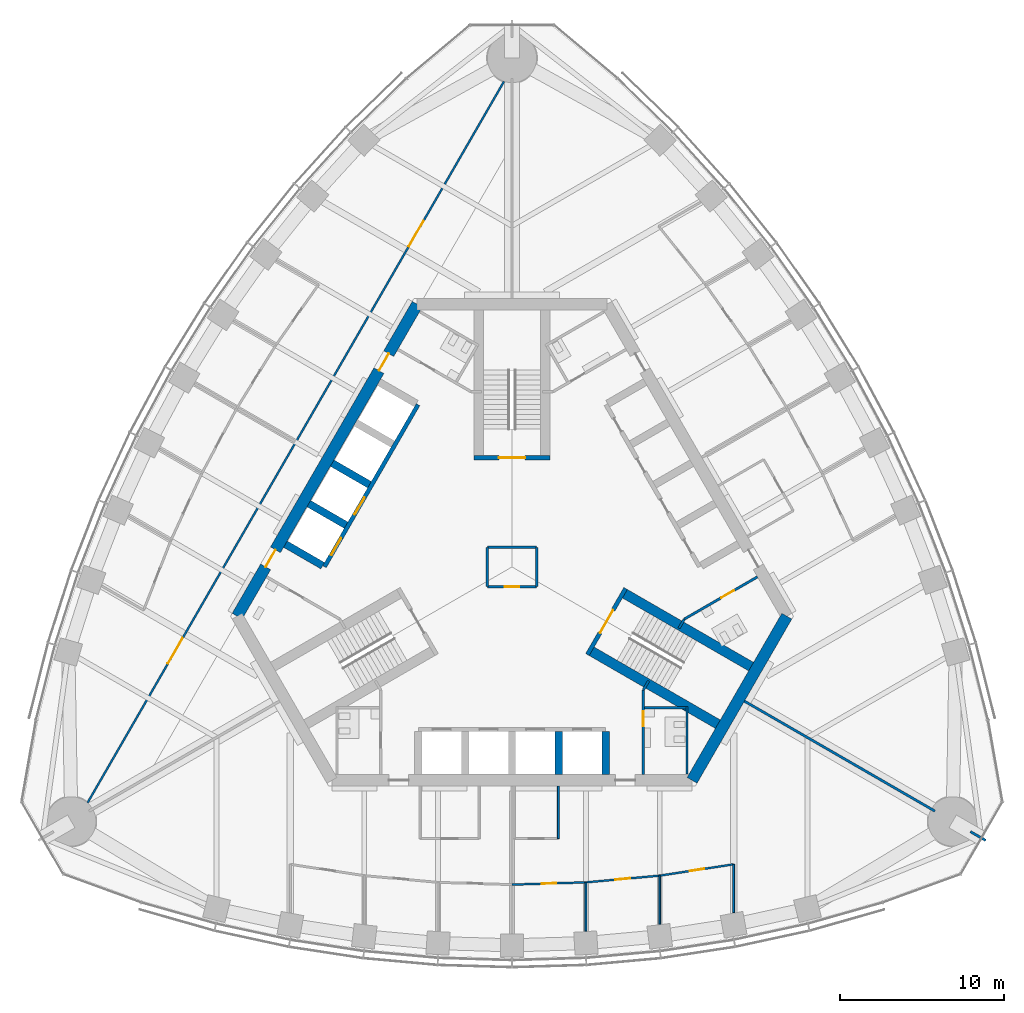
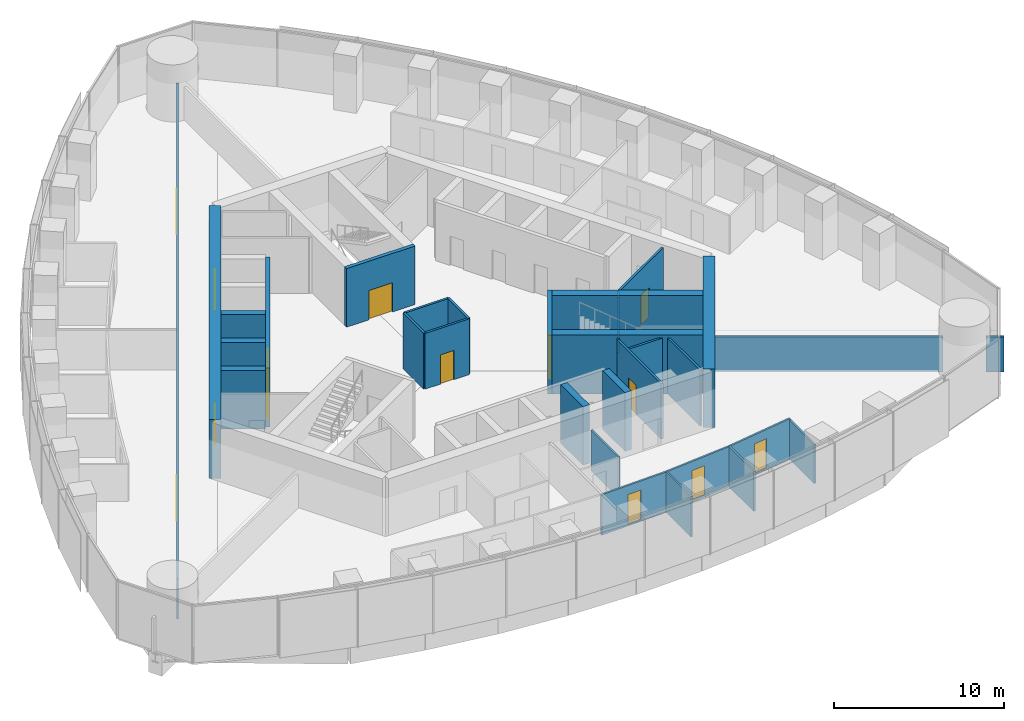
# One storey, part 9 of 16: 32 walls, 14 doors, 14 openings.
"""IFC4 building model written with IfcOpenShell, lengths in metres."""

from ifc_helpers import new_model, si_unit, direction, frame, frame_2d, origin, place, context, subcontext, project, spatial, rectangle, extrude, material, layer, layer_set, type_object, element, fill, save


model = new_model("IFC4")

# Units and contexts
model_context = context("Model", 3, precision=1e-05, world=origin(), true_north=direction((0.0, 1.0)))
body_context = subcontext(model_context, "Body", "Model", "MODEL_VIEW")
ifc_project = project(units=[si_unit("LENGTHUNIT", "METRE"), si_unit("AREAUNIT", "SQUARE_METRE"), si_unit("VOLUMEUNIT", "CUBIC_METRE"), si_unit("PLANEANGLEUNIT", "RADIAN"), si_unit("MASSUNIT", "GRAM", prefix="KILO")], contexts=[model_context])

# Site, building, storey
site_placement = place(None, origin())
site = spatial("IfcSite", under=ifc_project, at=site_placement, CompositionType="ELEMENT")
building_placement = place(site_placement, origin())
building = spatial("IfcBuilding", under=site, at=building_placement, Name="Trefoil Bronze Tower", CompositionType="ELEMENT")
storey_placement = place(building_placement, frame((0.0, 0.0, 284.699951171875)))
storey = spatial("IfcBuildingStorey", under=building, at=storey_placement, Name="L65", CompositionType="ELEMENT", Elevation=284.699951171875)

# Wall
ifc_material_1 = material(Name="Concrete B80", Category="concrete")
ifc_layer_1 = layer(ifc_material_1, 0.699951171875)
ifc_layer_set_1 = layer_set([ifc_layer_1], Name="Core wall 700")
wall_type_1 = type_object("IfcWallType", Name="Core wall 700", PredefinedType="SHEAR", material=ifc_layer_set_1)
wall_1_placement = place(storey_placement, frame((10.9697265625, -13.0, 0.0), z_axis=(0.0, 0.0, 1.0), x_axis=(0.499995765644, 0.866027848477, 0.0)))
element("IfcWall", 1, at=wall_1_placement, inside=storey, type_object=wall_type_1, Name="Core short wall 1 L65", PredefinedType="SHEAR", context=body_context, shape_type="SweptSolid", body=[
    extrude(rectangle(XDim=11.546875, YDim=0.699951171875, at=frame_2d((5.7734375, 0.0))), origin(), (0.0, 0.0, 1.0), 4.199951171875),
])

# Wall, openings, doors
wall_2_placement = place(storey_placement, frame((-5.7734375, 16.0, 0.0), z_axis=(0.0, 0.0, 1.0), x_axis=(-0.500002442456, -0.866023993627, 0.0)))
wall_2 = element("IfcWall", 2, at=wall_2_placement, inside=storey, type_object=wall_type_1, Name="Core long wall 3 L65", PredefinedType="SHEAR", context=body_context, shape_type="SweptSolid", body=[
    extrude(rectangle(XDim=21.939453125, YDim=0.699951171875, at=frame_2d((10.9697265625, 0.0))), origin(), (0.0, 0.0, 1.0), 4.199951171875),
])
opening_1_placement = place(wall_2_placement, frame((17.269775390625, 0.0, 0.0)))
opening_1 = element("IfcOpeningElement", 3, at=opening_1_placement, cuts=wall_2, Name="Opening D2", PredefinedType="OPENING", context=body_context, shape_type="SweptSolid", body=[
    extrude(rectangle(XDim=1.199951171875, YDim=2.10009765625, at=frame_2d((0.60009765625, 1.050048828125))), frame((0.0, 0.35986328125, 0.0), z_axis=(0.0, -1.0, 0.0), x_axis=(1.0, 0.0, 0.0)), (0.0, 0.0, 1.0), 0.719970703125),
])
opening_2_placement = place(wall_2_placement, frame((3.4697265625, 0.0, 0.0)))
opening_2 = element("IfcOpeningElement", 4, at=opening_2_placement, cuts=wall_2, Name="Opening D2", PredefinedType="OPENING", context=body_context, shape_type="SweptSolid", body=[
    extrude(rectangle(XDim=1.199951171875, YDim=2.10009765625, at=frame_2d((0.60009765625, 1.050048828125))), frame((0.0, 0.35986328125, 0.0), z_axis=(0.0, -1.0, 0.0), x_axis=(1.0, 0.0, 0.0)), (0.0, 0.0, 1.0), 0.719970703125),
])
ifc_material_2 = material(Name="Steel door", Category="steel")
door_type_1 = type_object("IfcDoorType", Name="Lobby door 1200", OperationType="SINGLE_SWING_RIGHT", PredefinedType="DOOR", material=ifc_material_2)
door_1_placement = place(opening_1_placement, origin())
door_1 = element("IfcDoor", 5, at=door_1_placement, inside=storey, type_object=door_type_1, Name="Lobby door F3+ L65", OperationType="SINGLE_SWING_RIGHT", OverallHeight=2.10009765625, OverallWidth=1.199951171875, PredefinedType="DOOR", context=body_context, shape_type="SweptSolid", body=[
    extrude(rectangle(XDim=1.199951171875, YDim=2.10009765625, at=frame_2d((0.60009765625, 1.050048828125))), frame((0.0, 0.02490234375, 0.0), z_axis=(0.0, -1.0, 0.0), x_axis=(1.0, 0.0, 0.0)), (0.0, 0.0, 1.0), 0.050048828125),
])
fill(opening_1, door_1)
door_2_placement = place(opening_2_placement, origin())
door_2 = element("IfcDoor", 6, at=door_2_placement, inside=storey, type_object=door_type_1, Name="Lobby door F3- L65", OperationType="SINGLE_SWING_LEFT", OverallHeight=2.10009765625, OverallWidth=1.199951171875, PredefinedType="DOOR", context=body_context, shape_type="SweptSolid", body=[
    extrude(rectangle(XDim=1.199951171875, YDim=2.10009765625, at=frame_2d((0.60009765625, 1.050048828125))), frame((0.0, 0.02490234375, 0.0), z_axis=(0.0, -1.0, 0.0), x_axis=(1.0, 0.0, 0.0)), (0.0, 0.0, 1.0), 0.050048828125),
])
fill(opening_2, door_2)

# Wall
ifc_material_3 = material(Name="Glazed partition", Category="glass")
ifc_layer_2 = layer(ifc_material_3, 0.1201171875)
ifc_layer_set_2 = layer_set([ifc_layer_2], Name="Glazed partition 120")
wall_type_2 = type_object("IfcWallType", Name="Glazed partition 120", PredefinedType="PARTITIONING", material=ifc_layer_set_2)
wall_3_placement = place(storey_placement, frame((2.824951171875, -13.35009765625, 0.0), z_axis=(0.0, 0.0, 1.0), x_axis=(0.0, -1.0, 0.0)))
element("IfcWall", 7, at=wall_3_placement, inside=storey, type_object=wall_type_2, Name="Partition F1 L65", PredefinedType="PARTITIONING", context=body_context, shape_type="SweptSolid", body=[
    extrude(rectangle(XDim=3.199951171875, YDim=0.1201171875, at=frame_2d((1.60009765625, 0.0))), origin(), (0.0, 0.0, 1.0), 2.900146484375),
])

# Wall, opening, door
wall_4_placement = place(storey_placement, frame((0.0, -19.3515625, 0.0), z_axis=(0.0, 0.0, 1.0), x_axis=(0.999542074227, 0.030259574513, 0.0)))
wall_4 = element("IfcWall", 8, at=wall_4_placement, inside=storey, type_object=wall_type_2, Name="Partition F1 L65", PredefinedType="PARTITIONING", context=body_context, shape_type="SweptSolid", body=[
    extrude(rectangle(XDim=4.501953125, YDim=0.1201171875, at=frame_2d((2.2509765625, 0.0))), origin(), (0.0, 0.0, 1.0), 2.900146484375),
])
opening_3_placement = place(wall_4_placement, frame((1.800048828125, 0.0, 0.14990234375)))
opening_3 = element("IfcOpeningElement", 9, at=opening_3_placement, cuts=wall_4, Name="Opening D8", PredefinedType="OPENING", context=body_context, shape_type="SweptSolid", body=[
    extrude(rectangle(XDim=0.89990234375, YDim=2.10009765625, at=frame_2d((0.449951171875, 1.050048828125))), frame((0.0, 0.070068359375, 0.0), z_axis=(0.0, -1.0, 0.0), x_axis=(1.0, 0.0, 0.0)), (0.0, 0.0, 1.0), 0.14013671875),
])
ifc_material_4 = material(Name="Timber door", Category="wood")
door_type_2 = type_object("IfcDoorType", Name="Office door 900", OperationType="SINGLE_SWING_LEFT", PredefinedType="DOOR", material=ifc_material_4)
door_3_placement = place(opening_3_placement, frame((0.89990234375, 0.0, 0.0), z_axis=(0.0, 0.0, 1.0), x_axis=(-1.0, 0.0, 0.0)))
door_3 = element("IfcDoor", 10, at=door_3_placement, inside=storey, type_object=door_type_2, Name="Office door F1 L65", OperationType="SINGLE_SWING_RIGHT", OverallHeight=2.10009765625, OverallWidth=0.89990234375, PredefinedType="DOOR", context=body_context, shape_type="SweptSolid", body=[
    extrude(rectangle(XDim=0.89990234375, YDim=2.10009765625, at=frame_2d((0.449951171875, 1.050048828125))), frame((0.0, 0.02490234375, 0.0), z_axis=(0.0, -1.0, 0.0), x_axis=(1.0, 0.0, 0.0)), (0.0, 0.0, 1.0), 0.050048828125),
])
fill(opening_3, door_3)

wall_5_placement = place(storey_placement, frame((4.5, -19.21533203125, 0.0), z_axis=(0.0, 0.0, 1.0), x_axis=(0.995871921504, 0.090769576179, 0.0)))
wall_5 = element("IfcWall", 11, at=wall_5_placement, inside=storey, type_object=wall_type_2, Name="Partition F1 L65", PredefinedType="PARTITIONING", context=body_context, shape_type="SweptSolid", body=[
    extrude(rectangle(XDim=4.5185546875, YDim=0.1201171875, at=frame_2d((2.25927734375, 0.0))), origin(), (0.0, 0.0, 1.0), 2.900146484375),
])
opening_4_placement = place(wall_5_placement, frame((1.800048828125, 0.0, 0.14990234375)))
opening_4 = element("IfcOpeningElement", 12, at=opening_4_placement, cuts=wall_5, Name="Opening D8", PredefinedType="OPENING", context=body_context, shape_type="SweptSolid", body=[
    extrude(rectangle(XDim=0.89990234375, YDim=2.10009765625, at=frame_2d((0.449951171875, 1.050048828125))), frame((0.0, 0.070068359375, 0.0), z_axis=(0.0, -1.0, 0.0), x_axis=(1.0, 0.0, 0.0)), (0.0, 0.0, 1.0), 0.14013671875),
])
door_4_placement = place(opening_4_placement, frame((0.89990234375, 0.0, 0.0), z_axis=(0.0, 0.0, 1.0), x_axis=(-1.0, 0.0, 0.0)))
door_4 = element("IfcDoor", 13, at=door_4_placement, inside=storey, type_object=door_type_2, Name="Office door F1 L65", OperationType="SINGLE_SWING_RIGHT", OverallHeight=2.10009765625, OverallWidth=0.89990234375, PredefinedType="DOOR", context=body_context, shape_type="SweptSolid", body=[
    extrude(rectangle(XDim=0.89990234375, YDim=2.10009765625, at=frame_2d((0.449951171875, 1.050048828125))), frame((0.0, 0.02490234375, 0.0), z_axis=(0.0, -1.0, 0.0), x_axis=(1.0, 0.0, 0.0)), (0.0, 0.0, 1.0), 0.050048828125),
])
fill(opening_4, door_4)

wall_6_placement = place(storey_placement, frame((9.0, -18.80517578125, 0.0), z_axis=(0.0, 0.0, 1.0), x_axis=(0.988481794406, 0.151339823341, 0.0)))
wall_6 = element("IfcWall", 14, at=wall_6_placement, inside=storey, type_object=wall_type_2, Name="Partition F1 L65", PredefinedType="PARTITIONING", context=body_context, shape_type="SweptSolid", body=[
    extrude(rectangle(XDim=4.552490234375, YDim=0.1201171875, at=frame_2d((2.2763671875, 0.0))), origin(), (0.0, 0.0, 1.0), 2.900146484375),
])
opening_5_placement = place(wall_6_placement, frame((1.85009765625, 0.0, 0.14990234375)))
opening_5 = element("IfcOpeningElement", 15, at=opening_5_placement, cuts=wall_6, Name="Opening D8", PredefinedType="OPENING", context=body_context, shape_type="SweptSolid", body=[
    extrude(rectangle(XDim=0.89990234375, YDim=2.10009765625, at=frame_2d((0.449951171875, 1.050048828125))), frame((0.0, 0.070068359375, 0.0), z_axis=(0.0, -1.0, 0.0), x_axis=(1.0, 0.0, 0.0)), (0.0, 0.0, 1.0), 0.14013671875),
])
door_5_placement = place(opening_5_placement, frame((0.89990234375, 0.0, 0.0), z_axis=(0.0, 0.0, 1.0), x_axis=(-1.0, 0.0, 0.0)))
door_5 = element("IfcDoor", 16, at=door_5_placement, inside=storey, type_object=door_type_2, Name="Office door F1 L65", OperationType="SINGLE_SWING_LEFT", OverallHeight=2.10009765625, OverallWidth=0.89990234375, PredefinedType="DOOR", context=body_context, shape_type="SweptSolid", body=[
    extrude(rectangle(XDim=0.89990234375, YDim=2.10009765625, at=frame_2d((0.449951171875, 1.050048828125))), frame((0.0, 0.02490234375, 0.0), z_axis=(0.0, -1.0, 0.0), x_axis=(1.0, 0.0, 0.0)), (0.0, 0.0, 1.0), 0.050048828125),
])
fill(opening_5, door_5)

# Walls
wall_7_placement = place(storey_placement, frame((13.5, -18.1162109375, 0.0), z_axis=(0.0, 0.0, 1.0), x_axis=(0.0, -1.0, 0.0)))
element("IfcWall", 17, at=wall_7_placement, inside=storey, type_object=wall_type_2, Name="Partition F1 L65", PredefinedType="PARTITIONING", context=body_context, shape_type="SweptSolid", body=[
    extrude(rectangle(XDim=2.9443359375, YDim=0.1201171875, at=frame_2d((1.47216796875, 0.0))), origin(), (0.0, 0.0, 1.0), 2.800048828125),
])
wall_8_placement = place(storey_placement, frame((4.5, -19.21533203125, 0.0), z_axis=(0.0, 0.0, 1.0), x_axis=(0.0, -1.0, 0.0)))
element("IfcWall", 18, at=wall_8_placement, inside=storey, type_object=wall_type_2, Name="Partition F1 L65", PredefinedType="PARTITIONING", context=body_context, shape_type="SweptSolid", body=[
    extrude(rectangle(XDim=2.96728515625, YDim=0.1201171875, at=frame_2d((1.483642578125, 0.0))), origin(), (0.0, 0.0, 1.0), 2.900146484375),
])
wall_9_placement = place(storey_placement, frame((9.0, -18.80517578125, 0.0), z_axis=(0.0, 0.0, 1.0), x_axis=(0.0, -1.0, 0.0)))
element("IfcWall", 19, at=wall_9_placement, inside=storey, type_object=wall_type_2, Name="Partition F1 L65", PredefinedType="PARTITIONING", context=body_context, shape_type="SweptSolid", body=[
    extrude(rectangle(XDim=2.958740234375, YDim=0.1201171875, at=frame_2d((1.4794921875, 0.0))), origin(), (0.0, 0.0, 1.0), 2.900146484375),
])

# Wall, openings, doors
wall_10_placement = place(storey_placement, frame((-0.490478515625, 29.570556640625, 0.0), z_axis=(0.0, 0.0, 1.0), x_axis=(-0.499999496503, -0.866025694478, 0.0)))
wall_10 = element("IfcWall", 20, at=wall_10_placement, inside=storey, type_object=wall_type_2, Name="Partition F3 L65", PredefinedType="PARTITIONING", context=body_context, shape_type="SweptSolid", body=[
    extrude(rectangle(XDim=50.7275390625, YDim=0.1201171875, at=frame_2d((25.36376953125, 0.0))), origin(), (0.0, 0.0, 1.0), 2.900146484375),
])
opening_6_placement = place(wall_10_placement, frame((9.800048828125, 0.0, 0.14990234375)))
opening_6 = element("IfcOpeningElement", 21, at=opening_6_placement, cuts=wall_10, Name="Opening D10", PredefinedType="OPENING", context=body_context, shape_type="SweptSolid", body=[
    extrude(rectangle(XDim=1.800048828125, YDim=2.10009765625, at=frame_2d((0.89990234375, 1.050048828125))), frame((0.0, 0.070068359375, 0.0), z_axis=(0.0, -1.0, 0.0), x_axis=(1.0, 0.0, 0.0)), (0.0, 0.0, 1.0), 0.14013671875),
])
opening_7_placement = place(wall_10_placement, frame((39.14990234375, 0.0, 0.14990234375)))
opening_7 = element("IfcOpeningElement", 22, at=opening_7_placement, cuts=wall_10, Name="Opening D10", PredefinedType="OPENING", context=body_context, shape_type="SweptSolid", body=[
    extrude(rectangle(XDim=1.800048828125, YDim=2.10009765625, at=frame_2d((0.89990234375, 1.050048828125))), frame((0.0, 0.070068359375, 0.0), z_axis=(0.0, -1.0, 0.0), x_axis=(1.0, 0.0, 0.0)), (0.0, 0.0, 1.0), 0.14013671875),
])
ifc_material_5 = material(Name="Timber door", Category="wood")
door_type_3 = type_object("IfcDoorType", Name="Double door 1800", OperationType="DOUBLE_DOOR_SINGLE_SWING", PredefinedType="DOOR", material=ifc_material_5)
door_6_placement = place(opening_6_placement, frame((1.800048828125, 0.0, 0.0), z_axis=(0.0, 0.0, 1.0), x_axis=(-1.0, 0.0, 0.0)))
door_6 = element("IfcDoor", 23, at=door_6_placement, inside=storey, type_object=door_type_3, Name="Corridor door F3 L65", OperationType="DOUBLE_DOOR_SINGLE_SWING", OverallHeight=2.10009765625, OverallWidth=1.800048828125, PredefinedType="DOOR", context=body_context, shape_type="SweptSolid", body=[
    extrude(rectangle(XDim=1.800048828125, YDim=2.10009765625, at=frame_2d((0.89990234375, 1.050048828125))), frame((0.0, 0.02490234375, 0.0), z_axis=(0.0, -1.0, 0.0), x_axis=(1.0, 0.0, 0.0)), (0.0, 0.0, 1.0), 0.050048828125),
])
fill(opening_6, door_6)
door_7_placement = place(opening_7_placement, frame((1.800048828125, 0.0, 0.0), z_axis=(0.0, 0.0, 1.0), x_axis=(-1.0, 0.0, 0.0)))
door_7 = element("IfcDoor", 24, at=door_7_placement, inside=storey, type_object=door_type_3, Name="Corridor door F3 L65", OperationType="DOUBLE_DOOR_SINGLE_SWING", OverallHeight=2.10009765625, OverallWidth=1.800048828125, PredefinedType="DOOR", context=body_context, shape_type="SweptSolid", body=[
    extrude(rectangle(XDim=1.800048828125, YDim=2.10009765625, at=frame_2d((0.89990234375, 1.050048828125))), frame((0.0, 0.02490234375, 0.0), z_axis=(0.0, -1.0, 0.0), x_axis=(1.0, 0.0, 0.0)), (0.0, 0.0, 1.0), 0.050048828125),
])
fill(opening_7, door_7)

# Walls
ifc_material_6 = material(Name="Concrete B80", Category="concrete")
ifc_layer_3 = layer(ifc_material_6, 0.449951171875)
ifc_layer_set_3 = layer_set([ifc_layer_3], Name="Outrigger shaft wall 450")
wall_type_3 = type_object("IfcWallType", Name="Outrigger shaft wall 450", PredefinedType="SHEAR", material=ifc_layer_set_3)
for number, where, z_axis, x_axis, name in (
    (25, (2.85009765625, -10.02490234375, 0.0), (0.0, 0.0, 1.0), (0.0, -1.0, 0.0), "Lift shaft side wall A3 L65"),
    (26, (5.699951171875, -10.02490234375, 0.0), (0.0, 0.0, 1.0), (0.0, -1.0, 0.0), "Lift shaft side wall A4 L65"),
    (27, (-8.681884765625, 5.012451171875, 0.0), (0.0, 0.0, 1.0), (-0.866036909293, 0.499980071345, 0.0), "Lift shaft side wall C2 L65"),
    (28, (-10.10693359375, 2.54443359375, 0.0), (0.0, 0.0, 1.0), (-0.866013657776, 0.500020344131, 0.0), "Lift shaft side wall C3 L65"),
    (29, (-11.531982421875, 0.076171875, 0.0), (0.0, 0.0, 1.0), (-0.866013657776, 0.500020344131, 0.0), "Lift shaft side wall C4 L65"),
):
    element("IfcWall", number, at=place(storey_placement, frame(where, z_axis=z_axis, x_axis=x_axis)), inside=storey, type_object=wall_type_3, Name=name, PredefinedType="SHEAR", context=body_context, shape_type="SweptSolid", body=[
        extrude(rectangle(XDim=2.625, YDim=0.449951171875, at=frame_2d((1.3125, 0.0))), origin(), (0.0, 0.0, 1.0), 4.199951171875),
    ])

# Wall, opening, door
ifc_material_7 = material(Name="Gypsum board on steel studs", Category="steel")
ifc_layer_4 = layer(ifc_material_7, 0.14990234375)
ifc_layer_set_4 = layer_set([ifc_layer_4], Name="Partition 150")
wall_type_4 = type_object("IfcWallType", Name="Partition 150", PredefinedType="PARTITIONING", material=ifc_layer_set_4)
wall_11_placement = place(storey_placement, frame((8.0, -7.5, 0.0), z_axis=(0.0, 0.0, 1.0), x_axis=(0.0, -1.0, 0.0)))
wall_11 = element("IfcWall", 30, at=wall_11_placement, inside=storey, type_object=wall_type_4, Name="Passage wall F1+ L65", PredefinedType="PARTITIONING", context=body_context, shape_type="SweptSolid", body=[
    extrude(rectangle(XDim=5.14990234375, YDim=0.14990234375, at=frame_2d((2.574951171875, 0.0))), origin(), (0.0, 0.0, 1.0), 4.0),
])
opening_8_placement = place(wall_11_placement, frame((1.300048828125, 0.0, 0.0)))
opening_8 = element("IfcOpeningElement", 31, at=opening_8_placement, cuts=wall_11, Name="Opening D3", PredefinedType="OPENING", context=body_context, shape_type="SweptSolid", body=[
    extrude(rectangle(XDim=0.89990234375, YDim=2.10009765625, at=frame_2d((0.449951171875, 1.050048828125))), frame((0.0, 0.0849609375, 0.0), z_axis=(0.0, -1.0, 0.0), x_axis=(1.0, 0.0, 0.0)), (0.0, 0.0, 1.0), 0.169921875),
])
ifc_material_8 = material(Name="Timber door", Category="wood")
door_type_4 = type_object("IfcDoorType", Name="WC door 900", OperationType="SINGLE_SWING_LEFT", PredefinedType="DOOR", material=ifc_material_8)
door_8_placement = place(opening_8_placement, origin())
door_8 = element("IfcDoor", 32, at=door_8_placement, inside=storey, type_object=door_type_4, Name="WC (men) door L65", OperationType="SINGLE_SWING_LEFT", OverallHeight=2.10009765625, OverallWidth=0.89990234375, PredefinedType="DOOR", context=body_context, shape_type="SweptSolid", body=[
    extrude(rectangle(XDim=0.89990234375, YDim=2.10009765625, at=frame_2d((0.449951171875, 1.050048828125))), frame((0.0, 0.02490234375, 0.0), z_axis=(0.0, -1.0, 0.0), x_axis=(1.0, 0.0, 0.0)), (0.0, 0.0, 1.0), 0.050048828125),
])
fill(opening_8, door_8)

wall_12_placement = place(storey_placement, frame((10.4951171875, -3.17822265625, 0.0), z_axis=(0.0, 0.0, 1.0), x_axis=(0.866037967349, 0.499978238636, 0.0)))
wall_12 = element("IfcWall", 33, at=wall_12_placement, inside=storey, type_object=wall_type_4, Name="Passage wall F2- L65", PredefinedType="PARTITIONING", context=body_context, shape_type="SweptSolid", body=[
    extrude(rectangle(XDim=5.150146484375, YDim=0.14990234375, at=frame_2d((2.5751953125, 0.0))), origin(), (0.0, 0.0, 1.0), 4.0),
])
opening_9_placement = place(wall_12_placement, frame((2.60009765625, 0.0, 0.0)))
opening_9 = element("IfcOpeningElement", 34, at=opening_9_placement, cuts=wall_12, Name="Opening D3", PredefinedType="OPENING", context=body_context, shape_type="SweptSolid", body=[
    extrude(rectangle(XDim=0.89990234375, YDim=2.10009765625, at=frame_2d((0.449951171875, 1.050048828125))), frame((0.0, 0.0849609375, 0.0), z_axis=(0.0, -1.0, 0.0), x_axis=(1.0, 0.0, 0.0)), (0.0, 0.0, 1.0), 0.169921875),
])
door_9_placement = place(opening_9_placement, frame((0.89990234375, 0.0, 0.0), z_axis=(0.0, 0.0, 1.0), x_axis=(-1.0, 0.0, 0.0)))
door_9 = element("IfcDoor", 35, at=door_9_placement, inside=storey, type_object=door_type_4, Name="WC (women) door L65", OperationType="SINGLE_SWING_LEFT", OverallHeight=2.10009765625, OverallWidth=0.89990234375, PredefinedType="DOOR", context=body_context, shape_type="SweptSolid", body=[
    extrude(rectangle(XDim=0.89990234375, YDim=2.10009765625, at=frame_2d((0.449951171875, 1.050048828125))), frame((0.0, 0.02490234375, 0.0), z_axis=(0.0, -1.0, 0.0), x_axis=(1.0, 0.0, 0.0)), (0.0, 0.0, 1.0), 0.050048828125),
])
fill(opening_9, door_9)

# Walls
for number, where, z_axis, x_axis, name in (
    (36, (8.0, -7.5, 0.0), (0.0, 0.0, 1.0), (0.499842556608, 0.866116284689, 0.0), "WC wall ST1-1 L65"),
    (37, (10.4951171875, -3.17822265625, 0.0), (0.0, 0.0, 1.0), (-0.499842556608, -0.866116284689, 0.0), "WC wall ST1+1 L65"),
):
    element("IfcWall", number, at=place(storey_placement, frame(where, z_axis=z_axis, x_axis=x_axis)), inside=storey, type_object=wall_type_4, Name=name, PredefinedType="PARTITIONING", context=body_context, shape_type="SweptSolid", body=[
        extrude(rectangle(XDim=0.645263671875, YDim=0.14990234375, at=frame_2d((0.32275390625, 0.0))), origin(), (0.0, 0.0, 1.0), 4.0),
    ])
wall_13_placement = place(storey_placement, frame((10.659912109375, -8.5, 0.0), z_axis=(0.0, 0.0, 1.0), x_axis=(0.0, -1.0, 0.0)))
element("IfcWall", 38, at=wall_13_placement, inside=storey, type_object=wall_type_4, Name="WC partition WC (men) L65", PredefinedType="PARTITIONING", context=body_context, shape_type="SweptSolid", body=[
    extrude(rectangle(XDim=4.10009765625, YDim=0.14990234375, at=frame_2d((2.050048828125, 0.0))), origin(), (0.0, 0.0, 1.0), 4.0),
])
wall_14_placement = place(storey_placement, frame((8.074951171875, -8.574951171875, 0.0), z_axis=(0.0, 0.0, 1.0), x_axis=(1.0, 0.0, 0.0)))
element("IfcWall", 39, at=wall_14_placement, inside=storey, type_object=wall_type_4, Name="WC partition WC (men) L65", PredefinedType="PARTITIONING", context=body_context, shape_type="SweptSolid", body=[
    extrude(rectangle(XDim=2.510009765625, YDim=0.14990234375, at=frame_2d((1.2548828125, 0.0))), origin(), (0.0, 0.0, 1.0), 4.0),
])
ifc_material_9 = material(Name="Gypsum board on steel studs", Category="steel")
ifc_layer_5 = layer(ifc_material_9, 0.14990234375)
ifc_layer_set_5 = layer_set([ifc_layer_5], Name="Party wall 150")
wall_type_5 = type_object("IfcWallType", Name="Party wall 150", PredefinedType="PARTITIONING", material=ifc_layer_set_5)
wall_15_placement = place(storey_placement, frame((14.159423828125, -8.175048828125, 0.0), z_axis=(0.0, 0.0, 1.0), x_axis=(0.866026905467, -0.499997399001, 0.0)))
element("IfcWall", 40, at=wall_15_placement, inside=storey, type_object=wall_type_5, Name="Party wall K1 L65", PredefinedType="PARTITIONING", context=body_context, shape_type="SweptSolid", body=[
    extrude(rectangle(XDim=13.39990234375, YDim=0.14990234375, at=frame_2d((6.699951171875, 0.0))), origin(), (0.0, 0.0, 1.0), 2.5),
])
wall_16_placement = place(storey_placement, frame((27.92919921875, -16.125, 0.0), z_axis=(0.0, 0.0, 1.0), x_axis=(0.866086810508, -0.499893625349, 0.0)))
element("IfcWall", 41, at=wall_16_placement, inside=storey, type_object=wall_type_5, Name="Party wall K1 L65", PredefinedType="PARTITIONING", context=body_context, shape_type="SweptSolid", body=[
    extrude(rectangle(XDim=1.070068359375, YDim=0.14990234375, at=frame_2d((0.53515625, 0.0))), origin(), (0.0, 0.0, 1.0), 2.5),
])

# Wall, opening, door
ifc_material_10 = material(Name="Gypsum board on steel studs", Category="steel")
ifc_layer_6 = layer(ifc_material_10, 0.14990234375)
ifc_layer_set_6 = layer_set([ifc_layer_6], Name="Riser wall 150")
wall_type_6 = type_object("IfcWallType", Name="Riser wall 150", PredefinedType="PARTITIONING", material=ifc_layer_set_6)
wall_17_placement = place(storey_placement, frame((-1.5, -1.199951171875, 0.0), z_axis=(0.0, 0.0, 1.0), x_axis=(1.0, 0.0, 0.0)))
wall_17 = element("IfcWall", 42, at=wall_17_placement, inside=storey, type_object=wall_type_6, Name="Riser wall L65", PredefinedType="PARTITIONING", context=body_context, shape_type="SweptSolid", body=[
    extrude(rectangle(XDim=3.0, YDim=0.14990234375, at=frame_2d((1.5, 0.0))), origin(), (0.0, 0.0, 1.0), 4.0),
])
opening_10_placement = place(wall_17_placement, frame((1.050048828125, 0.0, 0.0)))
opening_10 = element("IfcOpeningElement", 43, at=opening_10_placement, cuts=wall_17, Name="Opening D4", PredefinedType="OPENING", context=body_context, shape_type="SweptSolid", body=[
    extrude(rectangle(XDim=0.89990234375, YDim=2.10009765625, at=frame_2d((0.449951171875, 1.050048828125))), frame((0.0, 0.0849609375, 0.0), z_axis=(0.0, -1.0, 0.0), x_axis=(1.0, 0.0, 0.0)), (0.0, 0.0, 1.0), 0.169921875),
])
ifc_material_11 = material(Name="Steel door", Category="steel")
door_type_5 = type_object("IfcDoorType", Name="Riser door 900", OperationType="SINGLE_SWING_LEFT", PredefinedType="DOOR", material=ifc_material_11)
door_10_placement = place(opening_10_placement, frame((0.89990234375, 0.0, 0.0), z_axis=(0.0, 0.0, 1.0), x_axis=(-1.0, 0.0, 0.0)))
door_10 = element("IfcDoor", 44, at=door_10_placement, inside=storey, type_object=door_type_5, Name="Riser door L65", OperationType="SINGLE_SWING_LEFT", OverallHeight=2.10009765625, OverallWidth=0.89990234375, PredefinedType="DOOR", context=body_context, shape_type="SweptSolid", body=[
    extrude(rectangle(XDim=0.89990234375, YDim=2.10009765625, at=frame_2d((0.449951171875, 1.050048828125))), frame((0.0, 0.02490234375, 0.0), z_axis=(0.0, -1.0, 0.0), x_axis=(1.0, 0.0, 0.0)), (0.0, 0.0, 1.0), 0.050048828125),
])
fill(opening_10, door_10)

# Walls
wall_18_placement = place(storey_placement, frame((1.5, -1.199951171875, 0.0), z_axis=(0.0, 0.0, 1.0), x_axis=(0.0, 1.0, 0.0)))
element("IfcWall", 45, at=wall_18_placement, inside=storey, type_object=wall_type_6, Name="Riser wall L65", PredefinedType="PARTITIONING", context=body_context, shape_type="SweptSolid", body=[
    extrude(rectangle(XDim=2.39990234375, YDim=0.14990234375, at=frame_2d((1.199951171875, 0.0))), origin(), (0.0, 0.0, 1.0), 4.0),
])
wall_19_placement = place(storey_placement, frame((1.5, 1.199951171875, 0.0), z_axis=(0.0, 0.0, 1.0), x_axis=(-1.0, 0.0, 0.0)))
element("IfcWall", 46, at=wall_19_placement, inside=storey, type_object=wall_type_6, Name="Riser wall L65", PredefinedType="PARTITIONING", context=body_context, shape_type="SweptSolid", body=[
    extrude(rectangle(XDim=3.0, YDim=0.14990234375, at=frame_2d((1.5, 0.0))), origin(), (0.0, 0.0, 1.0), 4.0),
])
wall_20_placement = place(storey_placement, frame((-1.5, 1.199951171875, 0.0), z_axis=(0.0, 0.0, 1.0), x_axis=(0.0, -1.0, 0.0)))
element("IfcWall", 47, at=wall_20_placement, inside=storey, type_object=wall_type_6, Name="Riser wall L65", PredefinedType="PARTITIONING", context=body_context, shape_type="SweptSolid", body=[
    extrude(rectangle(XDim=2.39990234375, YDim=0.14990234375, at=frame_2d((1.199951171875, 0.0))), origin(), (0.0, 0.0, 1.0), 4.0),
])

# Wall, openings, doors
ifc_material_12 = material(Name="Concrete B80", Category="concrete")
ifc_layer_7 = layer(ifc_material_12, 0.25)
ifc_layer_set_7 = layer_set([ifc_layer_7], Name="Shaft wall 250")
wall_type_7 = type_object("IfcWallType", Name="Shaft wall 250", PredefinedType="SHEAR", material=ifc_layer_set_7)
wall_21_placement = place(storey_placement, frame((-5.7236328125, 9.88623046875, 0.0), z_axis=(0.0, 0.0, 1.0), x_axis=(-0.500001763848, -0.866024385424, 0.0)))
wall_21 = element("IfcWall", 48, at=wall_21_placement, inside=storey, type_object=wall_type_7, Name="Lift shaft front wall C L65", PredefinedType="SHEAR", context=body_context, shape_type="SweptSolid", body=[
    extrude(rectangle(XDim=11.39990234375, YDim=0.25, at=frame_2d((5.699951171875, 0.0))), origin(), (0.0, 0.0, 1.0), 4.199951171875),
])
opening_11_placement = place(wall_21_placement, frame((6.52490234375, 0.0, 0.0)))
opening_11 = element("IfcOpeningElement", 49, at=opening_11_placement, cuts=wall_21, Name="Opening LD-FL1", PredefinedType="OPENING", context=body_context, shape_type="SweptSolid", body=[
    extrude(rectangle(XDim=1.199951171875, YDim=2.199951171875, at=frame_2d((0.60009765625, 1.10009765625))), frame((0.0, 0.135009765625, 0.0), z_axis=(0.0, -1.0, 0.0), x_axis=(1.0, 0.0, 0.0)), (0.0, 0.0, 1.0), 0.27001953125),
])
opening_12_placement = place(wall_21_placement, frame((9.375, 0.0, 0.0)))
opening_12 = element("IfcOpeningElement", 50, at=opening_12_placement, cuts=wall_21, Name="Opening LD-FL2", PredefinedType="OPENING", context=body_context, shape_type="SweptSolid", body=[
    extrude(rectangle(XDim=1.199951171875, YDim=2.199951171875, at=frame_2d((0.60009765625, 1.10009765625))), frame((0.0, 0.135009765625, 0.0), z_axis=(0.0, -1.0, 0.0), x_axis=(1.0, 0.0, 0.0)), (0.0, 0.0, 1.0), 0.27001953125),
])
ifc_material_13 = material(Name="Steel door", Category="steel")
door_type_6 = type_object("IfcDoorType", Name="Lift landing door 1200", OperationType="DOUBLE_DOOR_SLIDING", PredefinedType="DOOR", material=ifc_material_13)
door_11_placement = place(opening_11_placement, origin())
door_11 = element("IfcDoor", 51, at=door_11_placement, inside=storey, type_object=door_type_6, Name="Lift FL1 landing door L65", OperationType="DOUBLE_DOOR_SLIDING", OverallHeight=2.199951171875, OverallWidth=1.199951171875, PredefinedType="DOOR", context=body_context, shape_type="SweptSolid", body=[
    extrude(rectangle(XDim=1.199951171875, YDim=2.199951171875, at=frame_2d((0.60009765625, 1.10009765625))), frame((0.0, 0.02490234375, 0.0), z_axis=(0.0, -1.0, 0.0), x_axis=(1.0, 0.0, 0.0)), (0.0, 0.0, 1.0), 0.050048828125),
])
fill(opening_11, door_11)
door_12_placement = place(opening_12_placement, origin())
door_12 = element("IfcDoor", 52, at=door_12_placement, inside=storey, type_object=door_type_6, Name="Lift FL2 landing door L65", OperationType="DOUBLE_DOOR_SLIDING", OverallHeight=2.199951171875, OverallWidth=1.199951171875, PredefinedType="DOOR", context=body_context, shape_type="SweptSolid", body=[
    extrude(rectangle(XDim=1.199951171875, YDim=2.199951171875, at=frame_2d((0.60009765625, 1.10009765625))), frame((0.0, 0.02490234375, 0.0), z_axis=(0.0, -1.0, 0.0), x_axis=(1.0, 0.0, 0.0)), (0.0, 0.0, 1.0), 0.050048828125),
])
fill(opening_12, door_12)

# Wall, opening, door
wall_22_placement = place(storey_placement, frame((4.5966796875, -5.338623046875, 0.0), z_axis=(0.0, 0.0, 1.0), x_axis=(0.499984536904, 0.866034331223, 0.0)))
wall_22 = element("IfcWall", 53, at=wall_22_placement, inside=storey, type_object=wall_type_7, Name="Stair end wall ST1 L65", PredefinedType="SHEAR", context=body_context, shape_type="SweptSolid", body=[
    extrude(rectangle(XDim=4.650146484375, YDim=0.25, at=frame_2d((2.3251953125, 0.0))), origin(), (0.0, 0.0, 1.0), 4.199951171875),
])
opening_13_placement = place(wall_22_placement, frame((1.52490234375, 0.0, 0.0)))
opening_13 = element("IfcOpeningElement", 54, at=opening_13_placement, cuts=wall_22, Name="Opening D1", PredefinedType="OPENING", context=body_context, shape_type="SweptSolid", body=[
    extrude(rectangle(XDim=1.60009765625, YDim=2.10009765625, at=frame_2d((0.800048828125, 1.050048828125))), frame((0.0, 0.135009765625, 0.0), z_axis=(0.0, -1.0, 0.0), x_axis=(1.0, 0.0, 0.0)), (0.0, 0.0, 1.0), 0.27001953125),
])
ifc_material_14 = material(Name="Steel door", Category="steel")
door_type_7 = type_object("IfcDoorType", Name="Stair door 1600", OperationType="DOUBLE_DOOR_SINGLE_SWING", PredefinedType="DOOR", material=ifc_material_14)
door_13_placement = place(opening_13_placement, frame((1.60009765625, 0.0, 0.0), z_axis=(0.0, 0.0, 1.0), x_axis=(-1.0, 0.0, 0.0)))
door_13 = element("IfcDoor", 55, at=door_13_placement, inside=storey, type_object=door_type_7, Name="Stair door ST1 L65", OperationType="DOUBLE_DOOR_SINGLE_SWING", OverallHeight=2.10009765625, OverallWidth=1.60009765625, PredefinedType="DOOR", context=body_context, shape_type="SweptSolid", body=[
    extrude(rectangle(XDim=1.60009765625, YDim=2.10009765625, at=frame_2d((0.800048828125, 1.050048828125))), frame((0.0, 0.02490234375, 0.0), z_axis=(0.0, -1.0, 0.0), x_axis=(1.0, 0.0, 0.0)), (0.0, 0.0, 1.0), 0.050048828125),
])
fill(opening_13, door_13)

wall_23_placement = place(storey_placement, frame((2.324951171875, 6.64990234375, 0.0), z_axis=(0.0, 0.0, 1.0), x_axis=(-1.0, 0.0, 0.0)))
wall_23 = element("IfcWall", 56, at=wall_23_placement, inside=storey, type_object=wall_type_7, Name="Stair end wall ST2 L65", PredefinedType="SHEAR", context=body_context, shape_type="SweptSolid", body=[
    extrude(rectangle(XDim=4.64990234375, YDim=0.25, at=frame_2d((2.324951171875, 0.0))), origin(), (0.0, 0.0, 1.0), 4.199951171875),
])
opening_14_placement = place(wall_23_placement, frame((1.52490234375, 0.0, 0.0)))
opening_14 = element("IfcOpeningElement", 57, at=opening_14_placement, cuts=wall_23, Name="Opening D1", PredefinedType="OPENING", context=body_context, shape_type="SweptSolid", body=[
    extrude(rectangle(XDim=1.60009765625, YDim=2.10009765625, at=frame_2d((0.800048828125, 1.050048828125))), frame((0.0, 0.135009765625, 0.0), z_axis=(0.0, -1.0, 0.0), x_axis=(1.0, 0.0, 0.0)), (0.0, 0.0, 1.0), 0.27001953125),
])
door_14_placement = place(opening_14_placement, frame((1.60009765625, 0.0, 0.0), z_axis=(0.0, 0.0, 1.0), x_axis=(-1.0, 0.0, 0.0)))
door_14 = element("IfcDoor", 58, at=door_14_placement, inside=storey, type_object=door_type_7, Name="Stair door ST2 L65", OperationType="DOUBLE_DOOR_SINGLE_SWING", OverallHeight=2.10009765625, OverallWidth=1.60009765625, PredefinedType="DOOR", context=body_context, shape_type="SweptSolid", body=[
    extrude(rectangle(XDim=1.60009765625, YDim=2.10009765625, at=frame_2d((0.800048828125, 1.050048828125))), frame((0.0, 0.02490234375, 0.0), z_axis=(0.0, -1.0, 0.0), x_axis=(1.0, 0.0, 0.0)), (0.0, 0.0, 1.0), 0.050048828125),
])
fill(opening_14, door_14)

# Walls
ifc_material_15 = material(Name="Concrete B80", Category="concrete")
ifc_layer_8 = layer(ifc_material_15, 0.60009765625)
ifc_layer_set_8 = layer_set([ifc_layer_8], Name="Stair wall 600")
wall_type_8 = type_object("IfcWallType", Name="Stair wall 600", PredefinedType="SHEAR", material=ifc_layer_set_8)
for number, where, z_axis, x_axis, name in (
    (59, (4.638427734375, -5.01611328125, 0.0), (0.0, 0.0, 1.0), (0.866021621257, -0.500006551472, 0.0), "Stair wall ST1 L65"),
    (60, (6.663330078125, -1.5087890625, 0.0), (0.0, 0.0, 1.0), (0.866028310072, -0.499994966129, 0.0), "Stair wall ST1 L65"),
):
    element("IfcWall", number, at=place(storey_placement, frame(where, z_axis=z_axis, x_axis=x_axis)), inside=storey, type_object=wall_type_8, Name=name, PredefinedType="SHEAR", context=body_context, shape_type="SweptSolid", body=[
        extrude(rectangle(XDim=9.125, YDim=0.60009765625, at=frame_2d((4.5625, 0.0))), origin(), (0.0, 0.0, 1.0), 4.199951171875),
    ])

save(model, "model.ifc")
